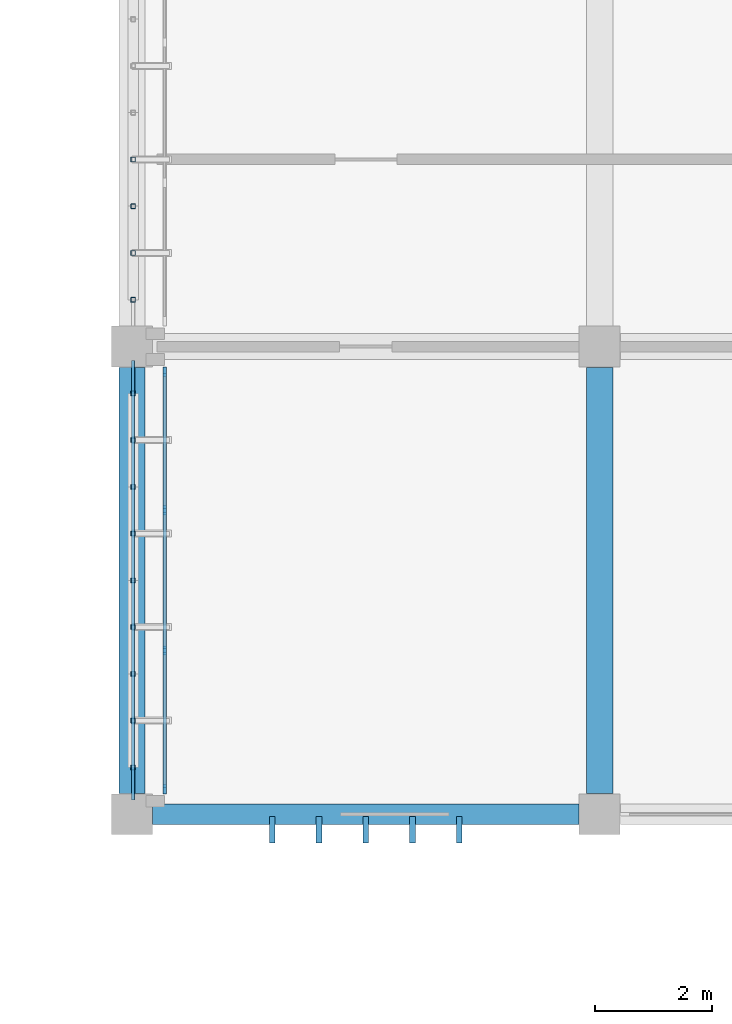
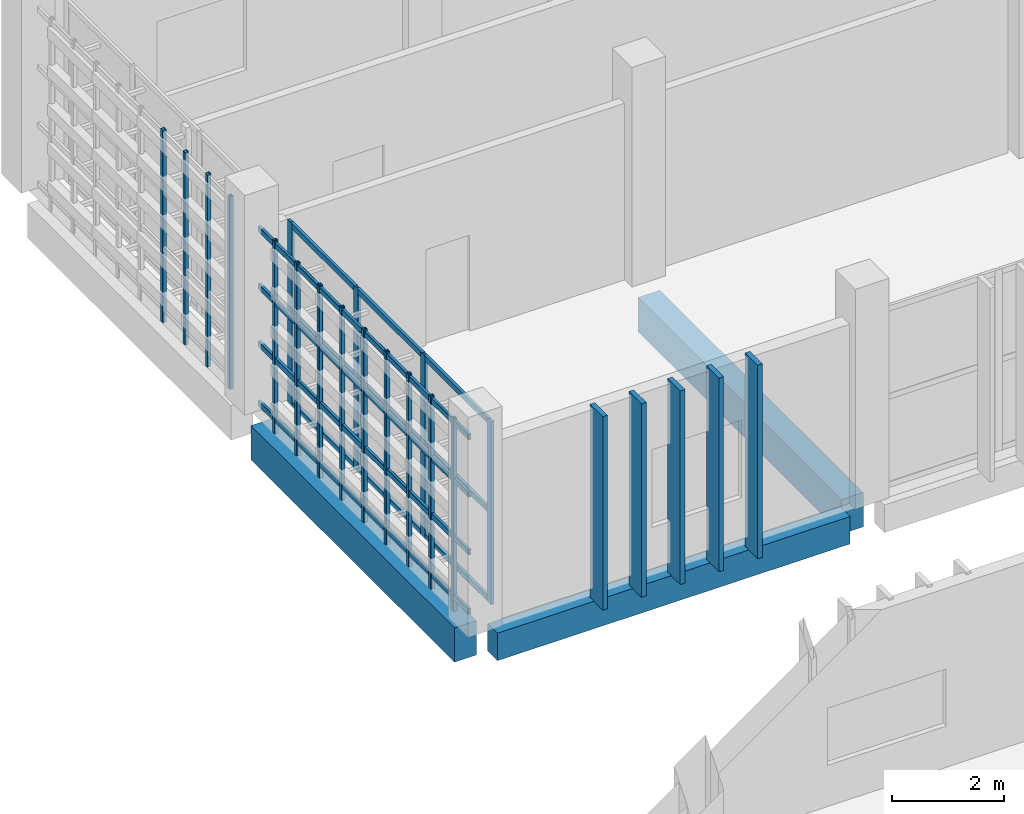
# One storey, part 41 of 106: 35 members, 3 beams, 1 element without a shape of its own.
"""IFC4 building model written with IfcOpenShell, lengths in metres."""

from ifc_helpers import new_model, si_unit, direction, frame, origin, origin_2d, place, context, subcontext, project, spatial, rectangle, hollow_rectangle, extrude, material, layer, layer_set, material_profile, profile_set, type_object, element, aggregate, save


model = new_model("IFC4")

# Units and contexts
model_context = context("Model", 3, precision=1e-05, world=origin(), true_north=direction((0.0, 1.0)))
body_context = subcontext(model_context, "Body", "Model", "MODEL_VIEW")
ifc_project = project(units=[si_unit("LENGTHUNIT", "METRE"), si_unit("AREAUNIT", "SQUARE_METRE"), si_unit("VOLUMEUNIT", "CUBIC_METRE"), si_unit("PLANEANGLEUNIT", "RADIAN"), si_unit("MASSUNIT", "GRAM", prefix="KILO")], contexts=[model_context])

# Site, building, storey
site_placement = place(None, origin())
site = spatial("IfcSite", under=ifc_project, at=site_placement, CompositionType="ELEMENT")
building_placement = place(site_placement, origin())
building = spatial("IfcBuilding", under=site, at=building_placement, Name="Jelvoka-Kovrelna Polytechnic", CompositionType="ELEMENT")
storey_placement = place(building_placement, frame((0.0, 0.0, 4.800048828125)))
storey = spatial("IfcBuildingStorey", under=building, at=storey_placement, Name="L02", CompositionType="ELEMENT", Elevation=4.800048828125)

# Beams
ifc_material_1 = material(Name="Concrete C40/50", Category="concrete")
ifc_material_profile_1 = material_profile(ifc_material_1, rectangle(XDim=0.449951171875, YDim=0.75, at=origin_2d()), Name="RC 450x750")
ifc_profile_set_1 = profile_set([ifc_material_profile_1], Name="Concrete C40/50")
beam_type_1 = type_object("IfcBeamType", Name="Beam_RC_450x750", PredefinedType="BEAM", material=ifc_profile_set_1)
for number, where, z_axis, x_axis, name in (
    (1, (128.0, 32.35498046875, -0.64013671875), (0.0, 1.0, 0.0), (-1.0, 0.0, 0.0), "L02 beam 0735"),
    (2, (136.0, 32.35498046875, -0.64013671875), (0.0, 1.0, 0.0), (-1.0, 0.0, 0.0), "L02 beam 0737"),
):
    element("IfcBeam", number, at=place(storey_placement, frame(where, z_axis=z_axis, x_axis=x_axis)), inside=storey, type_object=beam_type_1, Name=name, PredefinedType="BEAM", context=body_context, shape_type="SweptSolid", body=[
        extrude(rectangle(XDim=0.449951171875, YDim=0.75, at=origin_2d()), origin(), (0.0, 0.0, 1.0), 7.2900390625),
    ])

# Members
ifc_material_2 = material(Name="Precast concrete C40/50", Category="concrete")
ifc_material_profile_2 = material_profile(ifc_material_2, rectangle(XDim=0.10009765625, YDim=0.449951171875, at=origin_2d()), Name="PC 100x450")
ifc_profile_set_2 = profile_set([ifc_material_profile_2], Name="Precast concrete C40/50")
member_type_1 = type_object("IfcMemberType", Name="Louvre_Fin_100x450", PredefinedType="USERDEFINED", material=ifc_profile_set_2)
for number, where, z_axis, x_axis, name in (
    (3, (130.39990234375, 31.735107421875, -0.27001953125), (0.0, 0.0, 1.0), (1.0, 0.0, 0.0), "L02 B2E south vertical solar louvre fin 0901"),
    (4, (131.199951171875, 31.735107421875, -0.27001953125), (0.0, 0.0, 1.0), (1.0, 0.0, 0.0), "L02 B2E south vertical solar louvre fin 0902"),
    (5, (132.0, 31.735107421875, -0.27001953125), (0.0, 0.0, 1.0), (1.0, 0.0, 0.0), "L02 B2E south vertical solar louvre fin 0903"),
    (6, (132.800048828125, 31.735107421875, -0.27001953125), (0.0, 0.0, 1.0), (1.0, 0.0, 0.0), "L02 B2E south vertical solar louvre fin 0904"),
    (7, (133.60009765625, 31.735107421875, -0.27001953125), (0.0, 0.0, 1.0), (1.0, 0.0, 0.0), "L02 B2E south vertical solar louvre fin 0905"),
):
    element("IfcMember", number, at=place(storey_placement, frame(where, z_axis=z_axis, x_axis=x_axis)), inside=storey, type_object=member_type_1, Name=name, ObjectType="SUNSHADE", PredefinedType="USERDEFINED", context=body_context, shape_type="SweptSolid", body=[
        extrude(rectangle(XDim=0.10009765625, YDim=0.449951171875, at=origin_2d()), origin(), (0.0, 0.0, 1.0), 4.22998046875),
    ])
ifc_material_3 = material(Name="Structural steel S355J2H", Category="steel")
ifc_material_profile_3 = material_profile(ifc_material_3, hollow_rectangle(XDim=0.06005859375, YDim=0.1201171875, WallThickness=0.0048828125, InnerFilletRadius=0.0048828125, OuterFilletRadius=0.007568359375, at=origin_2d()), Name="120x60x5.0 RHS")
ifc_profile_set_3 = profile_set([ifc_material_profile_3], Name="Structural steel S355J2H")
member_type_2 = type_object("IfcMemberType", Name="Member_Strut_RHS120", PredefinedType="STRUT", material=ifc_profile_set_3)
for number, where, z_axis, x_axis, name in (
    (8, (128.02001953125, 32.239990234375, 0.079833984375), (0.0, 1.0, 0.0), (-1.0, 0.0, 0.0), "L02 terracotta screen horizontal strut 0326"),
    (9, (128.02001953125, 32.239990234375, 1.375244140625), (0.0, 1.0, 0.0), (-1.0, 0.0, 0.0), "L02 terracotta screen horizontal strut 0327"),
    (10, (128.02001953125, 32.239990234375, 2.632568359375), (0.0, 1.0, 0.0), (-1.0, 0.0, 0.0), "L02 terracotta screen horizontal strut 0328"),
    (11, (128.02001953125, 32.239990234375, 3.889892578125), (0.0, 1.0, 0.0), (-1.0, 0.0, 0.0), "L02 terracotta screen horizontal strut 0329"),
):
    element("IfcMember", number, at=place(storey_placement, frame(where, z_axis=z_axis, x_axis=x_axis)), inside=storey, type_object=member_type_2, Name=name, PredefinedType="STRUT", context=body_context, shape_type="SweptSolid", body=[
        extrude(hollow_rectangle(XDim=0.06005859375, YDim=0.1201171875, WallThickness=0.0048828125, InnerFilletRadius=0.0048828125, OuterFilletRadius=0.007568359375, at=origin_2d()), origin(), (0.0, 0.0, 1.0), 7.52001953125),
    ])
ifc_material_4 = material(Name="Structural steel S355J2H", Category="steel")
ifc_material_profile_4 = material_profile(ifc_material_4, hollow_rectangle(XDim=0.080078125, YDim=0.080078125, WallThickness=0.0048828125, InnerFilletRadius=0.0048828125, OuterFilletRadius=0.007568359375, at=origin_2d()), Name="80x80x5.0 SHS")
ifc_profile_set_4 = profile_set([ifc_material_profile_4], Name="Structural steel S355J2H")
member_type_3 = type_object("IfcMemberType", Name="Member_Strut_SHS80", PredefinedType="STRUT", material=ifc_profile_set_4)
for number, where, z_axis, x_axis, name in (
    (12, (128.02001953125, 32.800048828125, -0.22998046875), (0.0, 0.0, 1.0), (1.0, 0.0, 0.0), "L02 terracotta lattice vertical rib 0330"),
    (13, (128.02001953125, 33.60009765625, -0.22998046875), (0.0, 0.0, 1.0), (1.0, 0.0, 0.0), "L02 terracotta lattice vertical rib 0331"),
    (14, (128.02001953125, 34.39990234375, -0.22998046875), (0.0, 0.0, 1.0), (1.0, 0.0, 0.0), "L02 terracotta lattice vertical rib 0332"),
    (15, (128.02001953125, 35.199951171875, -0.22998046875), (0.0, 0.0, 1.0), (1.0, 0.0, 0.0), "L02 terracotta lattice vertical rib 0333"),
    (16, (128.02001953125, 36.0, -0.22998046875), (0.0, 0.0, 1.0), (1.0, 0.0, 0.0), "L02 terracotta lattice vertical rib 0334"),
    (17, (128.02001953125, 36.800048828125, -0.22998046875), (0.0, 0.0, 1.0), (1.0, 0.0, 0.0), "L02 terracotta lattice vertical rib 0335"),
    (18, (128.02001953125, 37.60009765625, -0.22998046875), (0.0, 0.0, 1.0), (1.0, 0.0, 0.0), "L02 terracotta lattice vertical rib 0336"),
    (19, (128.02001953125, 38.39990234375, -0.22998046875), (0.0, 0.0, 1.0), (1.0, 0.0, 0.0), "L02 terracotta lattice vertical rib 0337"),
    (20, (128.02001953125, 39.199951171875, -0.22998046875), (0.0, 0.0, 1.0), (1.0, 0.0, 0.0), "L02 terracotta lattice vertical rib 0338"),
    (21, (128.02001953125, 40.800048828125, -0.22998046875), (0.0, 0.0, 1.0), (1.0, 0.0, 0.0), "L02 terracotta lattice vertical rib 0343"),
    (22, (128.02001953125, 41.60009765625, -0.22998046875), (0.0, 0.0, 1.0), (1.0, 0.0, 0.0), "L02 terracotta lattice vertical rib 0344"),
    (23, (128.02001953125, 42.39990234375, -0.22998046875), (0.0, 0.0, 1.0), (1.0, 0.0, 0.0), "L02 terracotta lattice vertical rib 0345"),
    (24, (128.02001953125, 43.199951171875, -0.22998046875), (0.0, 0.0, 1.0), (1.0, 0.0, 0.0), "L02 terracotta lattice vertical rib 0346"),
):
    element("IfcMember", number, at=place(storey_placement, frame(where, z_axis=z_axis, x_axis=x_axis)), inside=storey, type_object=member_type_3, Name=name, PredefinedType="STRUT", context=body_context, shape_type="SweptSolid", body=[
        extrude(hollow_rectangle(XDim=0.080078125, YDim=0.080078125, WallThickness=0.0048828125, InnerFilletRadius=0.0048828125, OuterFilletRadius=0.007568359375, at=origin_2d()), origin(), (0.0, 0.0, 1.0), 4.2099609375),
    ])

# Curtain wall, members
ifc_material_5 = material(Name="Anodised aluminium 6063-T6", Category="aluminium")
ifc_layer = layer(ifc_material_5, 0.159912109375)
ifc_layer_set = layer_set([ifc_layer], Name="Anodised aluminium 6063-T6")
curtain_wall_type = type_object("IfcCurtainWallType", Name="CW_Recessed_A", PredefinedType="NOTDEFINED", material=ifc_layer_set)
curtain_wall_placement = place(storey_placement, origin())
curtain_wall = element("IfcCurtainWall", 25, at=curtain_wall_placement, inside=storey, type_object=curtain_wall_type, Name="L02 glazed curtain wall 050", PredefinedType="NOTDEFINED")
ifc_material_6 = material(Name="Anodised aluminium 6063-T6", Category="aluminium")
ifc_material_profile_5 = material_profile(ifc_material_6, rectangle(XDim=0.06005859375, YDim=0.159912109375, at=origin_2d()), Name="ALU 60x160")
ifc_profile_set_5 = profile_set([ifc_material_profile_5], Name="Anodised aluminium 6063-T6")
member_type_4 = type_object("IfcMemberType", Name="Mullion_M-01", PredefinedType="MULLION", material=ifc_profile_set_5)
member_1_placement = place(storey_placement, frame((128.56005859375, 32.429931640625, -0.02490234375), z_axis=(0.0, 0.0, 1.0), x_axis=(-1.0, 0.0, 0.0)))
member_1 = element("IfcMember", 26, at=member_1_placement, type_object=member_type_4, Name="CW-01 mullion 1", PredefinedType="MULLION", context=body_context, shape_type="SweptSolid", body=[
    extrude(rectangle(XDim=0.06005859375, YDim=0.159912109375, at=origin_2d()), origin(), (0.0, 0.0, 1.0), 4.0),
])
member_2_placement = place(storey_placement, frame((128.56005859375, 34.800048828125, -0.02490234375), z_axis=(0.0, 0.0, 1.0), x_axis=(-1.0, 0.0, 0.0)))
member_2 = element("IfcMember", 27, at=member_2_placement, type_object=member_type_4, Name="CW-01 mullion 2", PredefinedType="MULLION", context=body_context, shape_type="SweptSolid", body=[
    extrude(rectangle(XDim=0.06005859375, YDim=0.159912109375, at=origin_2d()), origin(), (0.0, 0.0, 1.0), 4.0),
])
member_3_placement = place(storey_placement, frame((128.56005859375, 37.199951171875, -0.02490234375), z_axis=(0.0, 0.0, 1.0), x_axis=(-1.0, 0.0, 0.0)))
member_3 = element("IfcMember", 28, at=member_3_placement, type_object=member_type_4, Name="CW-01 mullion 3", PredefinedType="MULLION", context=body_context, shape_type="SweptSolid", body=[
    extrude(rectangle(XDim=0.06005859375, YDim=0.159912109375, at=origin_2d()), origin(), (0.0, 0.0, 1.0), 4.0),
])
member_4_placement = place(storey_placement, frame((128.56005859375, 39.570068359375, -0.02490234375), z_axis=(0.0, 0.0, 1.0), x_axis=(-1.0, 0.0, 0.0)))
member_4 = element("IfcMember", 29, at=member_4_placement, type_object=member_type_4, Name="CW-01 mullion 4", PredefinedType="MULLION", context=body_context, shape_type="SweptSolid", body=[
    extrude(rectangle(XDim=0.06005859375, YDim=0.159912109375, at=origin_2d()), origin(), (0.0, 0.0, 1.0), 4.0),
])

# Beam
ifc_material_7 = material(Name="Concrete C40/50", Category="concrete")
ifc_material_profile_6 = material_profile(ifc_material_7, rectangle(XDim=0.35009765625, YDim=0.60009765625, at=origin_2d()), Name="RC 350x600")
ifc_profile_set_6 = profile_set([ifc_material_profile_6], Name="Concrete C40/50")
beam_type_2 = type_object("IfcBeamType", Name="Spandrel_RC_350x600", PredefinedType="SPANDREL", material=ifc_profile_set_6)
beam_placement = place(storey_placement, frame((128.35498046875, 32.0, -0.56494140625), z_axis=(1.0, 0.0, 0.0), x_axis=(0.0, 1.0, 0.0)))
element("IfcBeam", 30, at=beam_placement, inside=storey, type_object=beam_type_2, Name="L02 beam 0714", PredefinedType="SPANDREL", context=body_context, shape_type="SweptSolid", body=[
    extrude(rectangle(XDim=0.35009765625, YDim=0.60009765625, at=origin_2d()), origin(), (0.0, 0.0, 1.0), 7.2900390625),
])

# Member
ifc_material_8 = material(Name="Anodised aluminium 6063-T6", Category="aluminium")
ifc_material_profile_7 = material_profile(ifc_material_8, rectangle(XDim=0.06005859375, YDim=0.1201171875, at=origin_2d()), Name="ALU 60x120")
ifc_profile_set_7 = profile_set([ifc_material_profile_7], Name="Anodised aluminium 6063-T6")
member_type_5 = type_object("IfcMemberType", Name="Transom_T-01", PredefinedType="USERDEFINED", material=ifc_profile_set_7)
member_5_placement = place(storey_placement, frame((128.56005859375, 32.4599609375, 0.030029296875), z_axis=(0.0, 1.0, 0.0), x_axis=(-1.0, 0.0, 0.0)))
member_5 = element("IfcMember", 31, at=member_5_placement, type_object=member_type_5, Name="CW-01 transom 1.1", ObjectType="TRANSOM", PredefinedType="USERDEFINED", context=body_context, shape_type="SweptSolid", body=[
    extrude(rectangle(XDim=0.06005859375, YDim=0.1201171875, at=origin_2d()), origin(), (0.0, 0.0, 1.0), 2.31005859375),
])

member_6_placement = place(storey_placement, frame((128.56005859375, 32.4599609375, 1.974853515625), z_axis=(0.0, 1.0, 0.0), x_axis=(-1.0, 0.0, 0.0)))
member_6 = element("IfcMember", 32, at=member_6_placement, type_object=member_type_5, Name="CW-01 transom 1.2", ObjectType="TRANSOM", PredefinedType="USERDEFINED", context=body_context, shape_type="SweptSolid", body=[
    extrude(rectangle(XDim=0.06005859375, YDim=0.1201171875, at=origin_2d()), origin(), (0.0, 0.0, 1.0), 2.31005859375),
])

member_7_placement = place(storey_placement, frame((128.56005859375, 32.4599609375, 3.919921875), z_axis=(0.0, 1.0, 0.0), x_axis=(-1.0, 0.0, 0.0)))
member_7 = element("IfcMember", 33, at=member_7_placement, type_object=member_type_5, Name="CW-01 transom 1.3", ObjectType="TRANSOM", PredefinedType="USERDEFINED", context=body_context, shape_type="SweptSolid", body=[
    extrude(rectangle(XDim=0.06005859375, YDim=0.1201171875, at=origin_2d()), origin(), (0.0, 0.0, 1.0), 2.31005859375),
])

member_8_placement = place(storey_placement, frame((128.56005859375, 34.830078125, 0.030029296875), z_axis=(0.0, 1.0, 0.0), x_axis=(-1.0, 0.0, 0.0)))
member_8 = element("IfcMember", 34, at=member_8_placement, type_object=member_type_5, Name="CW-01 transom 2.1", ObjectType="TRANSOM", PredefinedType="USERDEFINED", context=body_context, shape_type="SweptSolid", body=[
    extrude(rectangle(XDim=0.06005859375, YDim=0.1201171875, at=origin_2d()), origin(), (0.0, 0.0, 1.0), 2.33984375),
])

member_9_placement = place(storey_placement, frame((128.56005859375, 34.830078125, 1.974853515625), z_axis=(0.0, 1.0, 0.0), x_axis=(-1.0, 0.0, 0.0)))
member_9 = element("IfcMember", 35, at=member_9_placement, type_object=member_type_5, Name="CW-01 transom 2.2", ObjectType="TRANSOM", PredefinedType="USERDEFINED", context=body_context, shape_type="SweptSolid", body=[
    extrude(rectangle(XDim=0.06005859375, YDim=0.1201171875, at=origin_2d()), origin(), (0.0, 0.0, 1.0), 2.33984375),
])

member_10_placement = place(storey_placement, frame((128.56005859375, 34.830078125, 3.919921875), z_axis=(0.0, 1.0, 0.0), x_axis=(-1.0, 0.0, 0.0)))
member_10 = element("IfcMember", 36, at=member_10_placement, type_object=member_type_5, Name="CW-01 transom 2.3", ObjectType="TRANSOM", PredefinedType="USERDEFINED", context=body_context, shape_type="SweptSolid", body=[
    extrude(rectangle(XDim=0.06005859375, YDim=0.1201171875, at=origin_2d()), origin(), (0.0, 0.0, 1.0), 2.33984375),
])

member_11_placement = place(storey_placement, frame((128.56005859375, 37.22998046875, 0.030029296875), z_axis=(0.0, 1.0, 0.0), x_axis=(-1.0, 0.0, 0.0)))
member_11 = element("IfcMember", 37, at=member_11_placement, type_object=member_type_5, Name="CW-01 transom 3.1", ObjectType="TRANSOM", PredefinedType="USERDEFINED", context=body_context, shape_type="SweptSolid", body=[
    extrude(rectangle(XDim=0.06005859375, YDim=0.1201171875, at=origin_2d()), origin(), (0.0, 0.0, 1.0), 2.31005859375),
])

member_12_placement = place(storey_placement, frame((128.56005859375, 37.22998046875, 1.974853515625), z_axis=(0.0, 1.0, 0.0), x_axis=(-1.0, 0.0, 0.0)))
member_12 = element("IfcMember", 38, at=member_12_placement, type_object=member_type_5, Name="CW-01 transom 3.2", ObjectType="TRANSOM", PredefinedType="USERDEFINED", context=body_context, shape_type="SweptSolid", body=[
    extrude(rectangle(XDim=0.06005859375, YDim=0.1201171875, at=origin_2d()), origin(), (0.0, 0.0, 1.0), 2.31005859375),
])

member_13_placement = place(storey_placement, frame((128.56005859375, 37.22998046875, 3.919921875), z_axis=(0.0, 1.0, 0.0), x_axis=(-1.0, 0.0, 0.0)))
member_13 = element("IfcMember", 39, at=member_13_placement, type_object=member_type_5, Name="CW-01 transom 3.3", ObjectType="TRANSOM", PredefinedType="USERDEFINED", context=body_context, shape_type="SweptSolid", body=[
    extrude(rectangle(XDim=0.06005859375, YDim=0.1201171875, at=origin_2d()), origin(), (0.0, 0.0, 1.0), 2.31005859375),
])

aggregate(curtain_wall, [member_1, member_2, member_3, member_4, member_5, member_6, member_7, member_8, member_9, member_10, member_11, member_12, member_13])

save(model, "model.ifc")
